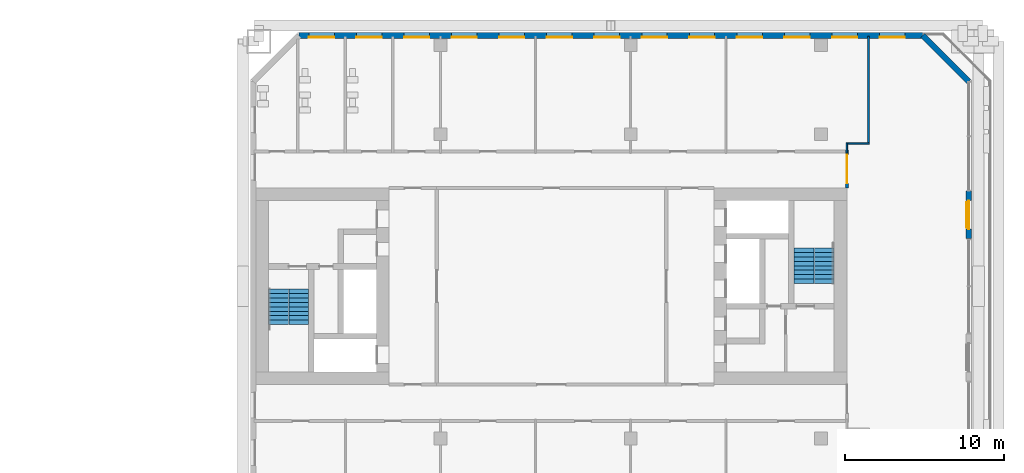
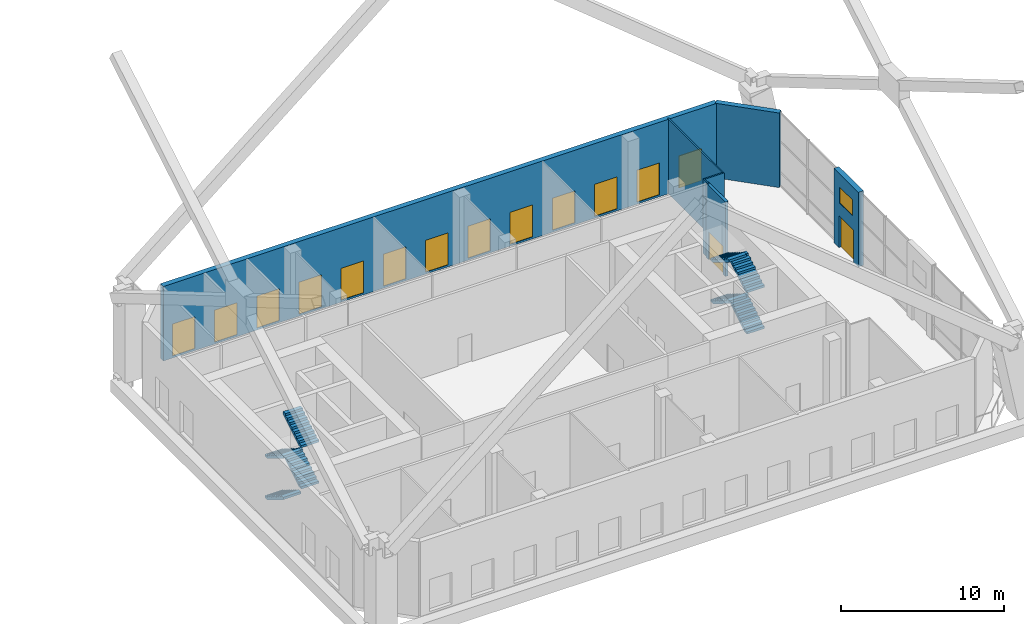
# One storey, part 16 of 20: 14 windows, 8 stair flights, 7 walls, 2 doors, 16 openings, 2 elements without a shape of their own.
"""IFC4 building model written with IfcOpenShell, lengths in metres."""

from ifc_helpers import new_model, si_unit, direction, frame, frame_2d, origin, place, context, subcontext, project, spatial, polyline, rectangle, outline, extrude, material, layer, layer_set, type_object, element, fill, aggregate, save


model = new_model("IFC4")

# Units and contexts
model_context = context("Model", 3, precision=1e-05, world=origin(), true_north=direction((0.0, 1.0)))
body_context = subcontext(model_context, "Body", "Model", "MODEL_VIEW")
ifc_project = project(units=[si_unit("LENGTHUNIT", "METRE"), si_unit("AREAUNIT", "SQUARE_METRE"), si_unit("VOLUMEUNIT", "CUBIC_METRE"), si_unit("PLANEANGLEUNIT", "RADIAN"), si_unit("MASSUNIT", "GRAM", prefix="KILO")], contexts=[model_context])

# Site, building, storey
site_placement = place(None, origin())
site = spatial("IfcSite", under=ifc_project, at=site_placement, CompositionType="ELEMENT")
building_placement = place(site_placement, origin())
building = spatial("IfcBuilding", under=site, at=building_placement, Name="Tuart Gate Housing", CompositionType="ELEMENT")
storey_placement = place(building_placement, frame((0.0, 0.0, 38.10009765625)))
storey = spatial("IfcBuildingStorey", under=building, at=storey_placement, Name="L10", CompositionType="ELEMENT", Elevation=38.10009765625)

# Wall, openings, door, window
ifc_material_1 = material(Name="Brick", Category="masonry")
ifc_layer_1 = layer(ifc_material_1, 0.360107421875)
ifc_layer_set_1 = layer_set([ifc_layer_1], Name="Brick pier and spandrel wall 360")
wall_type_1 = type_object("IfcWallType", Name="Brick pier and spandrel wall 360", PredefinedType="STANDARD", material=ifc_layer_set_1)
wall_1_placement = place(storey_placement, frame((176.320068359375, 73.0, 0.0), z_axis=(0.0, 0.0, 1.0), x_axis=(0.0, 1.0, 0.0)))
wall_1 = element("IfcWall", 1, at=wall_1_placement, inside=storey, type_object=wall_type_1, Name="External wall B-E L10", PredefinedType="STANDARD", context=body_context, shape_type="SweptSolid", body=[
    extrude(rectangle(XDim=3.0, YDim=0.360107421875, at=frame_2d((1.5, 0.0))), origin(), (0.0, 0.0, 1.0), 5.599853515625),
])
opening_1_placement = place(wall_1_placement, frame((0.699951171875, 0.0, 3.39990234375)))
opening_1 = element("IfcOpeningElement", 2, at=opening_1_placement, cuts=wall_1, Name="Opening W3", PredefinedType="OPENING", context=body_context, shape_type="SweptSolid", body=[
    extrude(rectangle(XDim=1.60009765625, YDim=1.199951171875, at=frame_2d((0.800048828125, 0.60009765625))), frame((0.0, 0.18994140625, 0.0), z_axis=(0.0, -1.0, 0.0), x_axis=(1.0, 0.0, 0.0)), (0.0, 0.0, 1.0), 0.380126953125),
])
opening_2_placement = place(wall_1_placement, frame((0.60009765625, 0.0, 0.0)))
opening_2 = element("IfcOpeningElement", 3, at=opening_2_placement, cuts=wall_1, Name="Opening D2831", PredefinedType="OPENING", context=body_context, shape_type="SweptSolid", body=[
    extrude(rectangle(XDim=1.800048828125, YDim=2.39990234375, at=frame_2d((0.89990234375, 1.199951171875))), frame((0.0, 0.18994140625, 0.0), z_axis=(0.0, -1.0, 0.0), x_axis=(1.0, 0.0, 0.0)), (0.0, 0.0, 1.0), 0.380126953125),
])
ifc_material_2 = material(Name="Aluminium framed glazed door", Category="aluminium")
door_type_1 = type_object("IfcDoorType", Name="Entrance door 1800 x 2400", OperationType="DOUBLE_DOOR_SINGLE_SWING", PredefinedType="DOOR", material=ifc_material_2)
door_1_placement = place(opening_2_placement, frame((1.800048828125, 0.0, 0.0), z_axis=(0.0, 0.0, 1.0), x_axis=(-1.0, 0.0, 0.0)))
door_1 = element("IfcDoor", 4, at=door_1_placement, inside=storey, type_object=door_type_1, Name="Leg B terrace door L10 2", OperationType="DOUBLE_DOOR_SINGLE_SWING", OverallHeight=2.39990234375, OverallWidth=1.800048828125, PredefinedType="DOOR", context=body_context, shape_type="SweptSolid", body=[
    extrude(rectangle(XDim=1.800048828125, YDim=2.39990234375, at=frame_2d((0.900146484375, 1.199951171875))), frame((0.0, 0.025146484375, 0.0), z_axis=(0.0, -1.0, 0.0), x_axis=(1.0, 0.0, 0.0)), (0.0, 0.0, 1.0), 0.050048828125),
])
fill(opening_2, door_1)
ifc_material_3 = material(Name="Aluminium louvre blades", Category="aluminium")
window_type_1 = type_object("IfcWindowType", Name="Louvre window 1600 x 1200", PartitioningType="DOUBLE_PANEL_HORIZONTAL", PredefinedType="WINDOW", material=ifc_material_3)
window_1_placement = place(opening_1_placement, origin())
window_1 = element("IfcWindow", 5, at=window_1_placement, inside=storey, type_object=window_type_1, Name="Louvre W3", OverallHeight=1.199951171875, OverallWidth=1.60009765625, PartitioningType="DOUBLE_PANEL_HORIZONTAL", PredefinedType="WINDOW", context=body_context, shape_type="SweptSolid", body=[
    extrude(rectangle(XDim=1.60009765625, YDim=1.199951171875, at=frame_2d((0.800048828125, 0.60009765625))), frame((0.0, 0.150146484375, 0.0), z_axis=(0.0, -1.0, 0.0), x_axis=(1.0, 0.0, 0.0)), (0.0, 0.0, 1.0), 0.06005859375),
])
fill(opening_1, window_1)

# Wall
wall_2_placement = place(storey_placement, frame((176.320068359375, 82.92529296875, 0.0), z_axis=(0.0, 0.0, 1.0), x_axis=(-0.707106781187, 0.707106781187, 0.0)))
element("IfcWall", 6, at=wall_2_placement, inside=storey, type_object=wall_type_1, Name="External wall B-NE L10", PredefinedType="STANDARD", context=body_context, shape_type="SweptSolid", body=[
    extrude(rectangle(XDim=4.09375, YDim=0.360107421875, at=frame_2d((2.046875, 0.0))), origin(), (0.0, 0.0, 1.0), 5.599853515625),
])

# Wall, openings, windows
wall_3_placement = place(storey_placement, frame((173.42529296875, 85.820068359375, 0.0), z_axis=(0.0, 0.0, 1.0), x_axis=(-1.0, 0.0, 0.0)))
wall_3 = element("IfcWall", 7, at=wall_3_placement, inside=storey, type_object=wall_type_1, Name="External wall B-N L10", PredefinedType="STANDARD", context=body_context, shape_type="SweptSolid", body=[
    extrude(rectangle(XDim=39.350830078125, YDim=0.360107421875, at=frame_2d((19.67529296875, 0.0))), origin(), (0.0, 0.0, 1.0), 5.599853515625),
])
opening_3_placement = place(wall_3_placement, frame((1.12548828125, 0.0, 0.14990234375)))
opening_3 = element("IfcOpeningElement", 8, at=opening_3_placement, cuts=wall_3, Name="Opening W2", PredefinedType="OPENING", context=body_context, shape_type="SweptSolid", body=[
    extrude(rectangle(XDim=1.60009765625, YDim=2.39990234375, at=frame_2d((0.800048828125, 1.199951171875))), frame((0.0, 0.18994140625, 0.0), z_axis=(0.0, -1.0, 0.0), x_axis=(1.0, 0.0, 0.0)), (0.0, 0.0, 1.0), 0.380126953125),
])
opening_4_placement = place(wall_3_placement, frame((4.12548828125, 0.0, 0.14990234375)))
opening_4 = element("IfcOpeningElement", 9, at=opening_4_placement, cuts=wall_3, Name="Opening W2", PredefinedType="OPENING", context=body_context, shape_type="SweptSolid", body=[
    extrude(rectangle(XDim=1.60009765625, YDim=2.39990234375, at=frame_2d((0.800048828125, 1.199951171875))), frame((0.0, 0.18994140625, 0.0), z_axis=(0.0, -1.0, 0.0), x_axis=(1.0, 0.0, 0.0)), (0.0, 0.0, 1.0), 0.380126953125),
])
opening_5_placement = place(wall_3_placement, frame((7.12548828125, 0.0, 0.14990234375)))
opening_5 = element("IfcOpeningElement", 10, at=opening_5_placement, cuts=wall_3, Name="Opening W2", PredefinedType="OPENING", context=body_context, shape_type="SweptSolid", body=[
    extrude(rectangle(XDim=1.60009765625, YDim=2.39990234375, at=frame_2d((0.800048828125, 1.199951171875))), frame((0.0, 0.18994140625, 0.0), z_axis=(0.0, -1.0, 0.0), x_axis=(1.0, 0.0, 0.0)), (0.0, 0.0, 1.0), 0.380126953125),
])
opening_6_placement = place(wall_3_placement, frame((10.12548828125, 0.0, 0.14990234375)))
opening_6 = element("IfcOpeningElement", 11, at=opening_6_placement, cuts=wall_3, Name="Opening W2", PredefinedType="OPENING", context=body_context, shape_type="SweptSolid", body=[
    extrude(rectangle(XDim=1.60009765625, YDim=2.39990234375, at=frame_2d((0.800048828125, 1.199951171875))), frame((0.0, 0.18994140625, 0.0), z_axis=(0.0, -1.0, 0.0), x_axis=(1.0, 0.0, 0.0)), (0.0, 0.0, 1.0), 0.380126953125),
])
opening_7_placement = place(wall_3_placement, frame((13.12548828125, 0.0, 0.14990234375)))
opening_7 = element("IfcOpeningElement", 12, at=opening_7_placement, cuts=wall_3, Name="Opening W2", PredefinedType="OPENING", context=body_context, shape_type="SweptSolid", body=[
    extrude(rectangle(XDim=1.60009765625, YDim=2.39990234375, at=frame_2d((0.800048828125, 1.199951171875))), frame((0.0, 0.18994140625, 0.0), z_axis=(0.0, -1.0, 0.0), x_axis=(1.0, 0.0, 0.0)), (0.0, 0.0, 1.0), 0.380126953125),
])
opening_8_placement = place(wall_3_placement, frame((16.12548828125, 0.0, 0.14990234375)))
opening_8 = element("IfcOpeningElement", 13, at=opening_8_placement, cuts=wall_3, Name="Opening W2", PredefinedType="OPENING", context=body_context, shape_type="SweptSolid", body=[
    extrude(rectangle(XDim=1.60009765625, YDim=2.39990234375, at=frame_2d((0.800048828125, 1.199951171875))), frame((0.0, 0.18994140625, 0.0), z_axis=(0.0, -1.0, 0.0), x_axis=(1.0, 0.0, 0.0)), (0.0, 0.0, 1.0), 0.380126953125),
])
opening_9_placement = place(wall_3_placement, frame((19.12548828125, 0.0, 0.14990234375)))
opening_9 = element("IfcOpeningElement", 14, at=opening_9_placement, cuts=wall_3, Name="Opening W2", PredefinedType="OPENING", context=body_context, shape_type="SweptSolid", body=[
    extrude(rectangle(XDim=1.60009765625, YDim=2.39990234375, at=frame_2d((0.800048828125, 1.199951171875))), frame((0.0, 0.18994140625, 0.0), z_axis=(0.0, -1.0, 0.0), x_axis=(1.0, 0.0, 0.0)), (0.0, 0.0, 1.0), 0.380126953125),
])
opening_10_placement = place(wall_3_placement, frame((22.12548828125, 0.0, 0.14990234375)))
opening_10 = element("IfcOpeningElement", 15, at=opening_10_placement, cuts=wall_3, Name="Opening W2", PredefinedType="OPENING", context=body_context, shape_type="SweptSolid", body=[
    extrude(rectangle(XDim=1.60009765625, YDim=2.39990234375, at=frame_2d((0.800048828125, 1.199951171875))), frame((0.0, 0.18994140625, 0.0), z_axis=(0.0, -1.0, 0.0), x_axis=(1.0, 0.0, 0.0)), (0.0, 0.0, 1.0), 0.380126953125),
])
opening_11_placement = place(wall_3_placement, frame((25.12548828125, 0.0, 0.14990234375)))
opening_11 = element("IfcOpeningElement", 16, at=opening_11_placement, cuts=wall_3, Name="Opening W2", PredefinedType="OPENING", context=body_context, shape_type="SweptSolid", body=[
    extrude(rectangle(XDim=1.60009765625, YDim=2.39990234375, at=frame_2d((0.800048828125, 1.199951171875))), frame((0.0, 0.18994140625, 0.0), z_axis=(0.0, -1.0, 0.0), x_axis=(1.0, 0.0, 0.0)), (0.0, 0.0, 1.0), 0.380126953125),
])
opening_12_placement = place(wall_3_placement, frame((28.12548828125, 0.0, 0.14990234375)))
opening_12 = element("IfcOpeningElement", 17, at=opening_12_placement, cuts=wall_3, Name="Opening W2", PredefinedType="OPENING", context=body_context, shape_type="SweptSolid", body=[
    extrude(rectangle(XDim=1.60009765625, YDim=2.39990234375, at=frame_2d((0.800048828125, 1.199951171875))), frame((0.0, 0.18994140625, 0.0), z_axis=(0.0, -1.0, 0.0), x_axis=(1.0, 0.0, 0.0)), (0.0, 0.0, 1.0), 0.380126953125),
])
opening_13_placement = place(wall_3_placement, frame((31.12548828125, 0.0, 0.14990234375)))
opening_13 = element("IfcOpeningElement", 18, at=opening_13_placement, cuts=wall_3, Name="Opening W2", PredefinedType="OPENING", context=body_context, shape_type="SweptSolid", body=[
    extrude(rectangle(XDim=1.60009765625, YDim=2.39990234375, at=frame_2d((0.800048828125, 1.199951171875))), frame((0.0, 0.18994140625, 0.0), z_axis=(0.0, -1.0, 0.0), x_axis=(1.0, 0.0, 0.0)), (0.0, 0.0, 1.0), 0.380126953125),
])
opening_14_placement = place(wall_3_placement, frame((34.12548828125, 0.0, 0.14990234375)))
opening_14 = element("IfcOpeningElement", 19, at=opening_14_placement, cuts=wall_3, Name="Opening W2", PredefinedType="OPENING", context=body_context, shape_type="SweptSolid", body=[
    extrude(rectangle(XDim=1.60009765625, YDim=2.39990234375, at=frame_2d((0.800048828125, 1.199951171875))), frame((0.0, 0.18994140625, 0.0), z_axis=(0.0, -1.0, 0.0), x_axis=(1.0, 0.0, 0.0)), (0.0, 0.0, 1.0), 0.380126953125),
])
opening_15_placement = place(wall_3_placement, frame((37.12548828125, 0.0, 0.14990234375)))
opening_15 = element("IfcOpeningElement", 20, at=opening_15_placement, cuts=wall_3, Name="Opening W2", PredefinedType="OPENING", context=body_context, shape_type="SweptSolid", body=[
    extrude(rectangle(XDim=1.60009765625, YDim=2.39990234375, at=frame_2d((0.800048828125, 1.199951171875))), frame((0.0, 0.18994140625, 0.0), z_axis=(0.0, -1.0, 0.0), x_axis=(1.0, 0.0, 0.0)), (0.0, 0.0, 1.0), 0.380126953125),
])
ifc_material_4 = material(Name="Aluminium frame with clear glass", Category="aluminium")
window_type_2 = type_object("IfcWindowType", Name="Garden lounge window 1600 x 2400", PartitioningType="SINGLE_PANEL", PredefinedType="WINDOW", material=ifc_material_4)
window_2_placement = place(opening_3_placement, origin())
window_2 = element("IfcWindow", 21, at=window_2_placement, inside=storey, type_object=window_type_2, Name="Window W2", OverallHeight=2.39990234375, OverallWidth=1.60009765625, PartitioningType="SINGLE_PANEL", PredefinedType="WINDOW", context=body_context, shape_type="SweptSolid", body=[
    extrude(rectangle(XDim=1.60009765625, YDim=2.39990234375, at=frame_2d((0.800048828125, 1.199951171875))), frame((0.0, 0.150146484375, 0.0), z_axis=(0.0, -1.0, 0.0), x_axis=(1.0, 0.0, 0.0)), (0.0, 0.0, 1.0), 0.06005859375),
])
fill(opening_3, window_2)
window_3_placement = place(opening_4_placement, origin())
window_3 = element("IfcWindow", 22, at=window_3_placement, inside=storey, type_object=window_type_2, Name="Window W2", OverallHeight=2.39990234375, OverallWidth=1.60009765625, PartitioningType="SINGLE_PANEL", PredefinedType="WINDOW", context=body_context, shape_type="SweptSolid", body=[
    extrude(rectangle(XDim=1.60009765625, YDim=2.39990234375, at=frame_2d((0.800048828125, 1.199951171875))), frame((0.0, 0.150146484375, 0.0), z_axis=(0.0, -1.0, 0.0), x_axis=(1.0, 0.0, 0.0)), (0.0, 0.0, 1.0), 0.06005859375),
])
fill(opening_4, window_3)
window_4_placement = place(opening_5_placement, origin())
window_4 = element("IfcWindow", 23, at=window_4_placement, inside=storey, type_object=window_type_2, Name="Window W2", OverallHeight=2.39990234375, OverallWidth=1.60009765625, PartitioningType="SINGLE_PANEL", PredefinedType="WINDOW", context=body_context, shape_type="SweptSolid", body=[
    extrude(rectangle(XDim=1.60009765625, YDim=2.39990234375, at=frame_2d((0.800048828125, 1.199951171875))), frame((0.0, 0.150146484375, 0.0), z_axis=(0.0, -1.0, 0.0), x_axis=(1.0, 0.0, 0.0)), (0.0, 0.0, 1.0), 0.06005859375),
])
fill(opening_5, window_4)
window_5_placement = place(opening_6_placement, origin())
window_5 = element("IfcWindow", 24, at=window_5_placement, inside=storey, type_object=window_type_2, Name="Window W2", OverallHeight=2.39990234375, OverallWidth=1.60009765625, PartitioningType="SINGLE_PANEL", PredefinedType="WINDOW", context=body_context, shape_type="SweptSolid", body=[
    extrude(rectangle(XDim=1.60009765625, YDim=2.39990234375, at=frame_2d((0.800048828125, 1.199951171875))), frame((0.0, 0.150146484375, 0.0), z_axis=(0.0, -1.0, 0.0), x_axis=(1.0, 0.0, 0.0)), (0.0, 0.0, 1.0), 0.06005859375),
])
fill(opening_6, window_5)
window_6_placement = place(opening_7_placement, origin())
window_6 = element("IfcWindow", 25, at=window_6_placement, inside=storey, type_object=window_type_2, Name="Window W2", OverallHeight=2.39990234375, OverallWidth=1.60009765625, PartitioningType="SINGLE_PANEL", PredefinedType="WINDOW", context=body_context, shape_type="SweptSolid", body=[
    extrude(rectangle(XDim=1.60009765625, YDim=2.39990234375, at=frame_2d((0.800048828125, 1.199951171875))), frame((0.0, 0.150146484375, 0.0), z_axis=(0.0, -1.0, 0.0), x_axis=(1.0, 0.0, 0.0)), (0.0, 0.0, 1.0), 0.06005859375),
])
fill(opening_7, window_6)
window_7_placement = place(opening_8_placement, origin())
window_7 = element("IfcWindow", 26, at=window_7_placement, inside=storey, type_object=window_type_2, Name="Window W2", OverallHeight=2.39990234375, OverallWidth=1.60009765625, PartitioningType="SINGLE_PANEL", PredefinedType="WINDOW", context=body_context, shape_type="SweptSolid", body=[
    extrude(rectangle(XDim=1.60009765625, YDim=2.39990234375, at=frame_2d((0.800048828125, 1.199951171875))), frame((0.0, 0.150146484375, 0.0), z_axis=(0.0, -1.0, 0.0), x_axis=(1.0, 0.0, 0.0)), (0.0, 0.0, 1.0), 0.06005859375),
])
fill(opening_8, window_7)
window_8_placement = place(opening_9_placement, origin())
window_8 = element("IfcWindow", 27, at=window_8_placement, inside=storey, type_object=window_type_2, Name="Window W2", OverallHeight=2.39990234375, OverallWidth=1.60009765625, PartitioningType="SINGLE_PANEL", PredefinedType="WINDOW", context=body_context, shape_type="SweptSolid", body=[
    extrude(rectangle(XDim=1.60009765625, YDim=2.39990234375, at=frame_2d((0.800048828125, 1.199951171875))), frame((0.0, 0.150146484375, 0.0), z_axis=(0.0, -1.0, 0.0), x_axis=(1.0, 0.0, 0.0)), (0.0, 0.0, 1.0), 0.06005859375),
])
fill(opening_9, window_8)
window_9_placement = place(opening_10_placement, origin())
window_9 = element("IfcWindow", 28, at=window_9_placement, inside=storey, type_object=window_type_2, Name="Window W2", OverallHeight=2.39990234375, OverallWidth=1.60009765625, PartitioningType="SINGLE_PANEL", PredefinedType="WINDOW", context=body_context, shape_type="SweptSolid", body=[
    extrude(rectangle(XDim=1.60009765625, YDim=2.39990234375, at=frame_2d((0.800048828125, 1.199951171875))), frame((0.0, 0.150146484375, 0.0), z_axis=(0.0, -1.0, 0.0), x_axis=(1.0, 0.0, 0.0)), (0.0, 0.0, 1.0), 0.06005859375),
])
fill(opening_10, window_9)
window_10_placement = place(opening_11_placement, origin())
window_10 = element("IfcWindow", 29, at=window_10_placement, inside=storey, type_object=window_type_2, Name="Window W2", OverallHeight=2.39990234375, OverallWidth=1.60009765625, PartitioningType="SINGLE_PANEL", PredefinedType="WINDOW", context=body_context, shape_type="SweptSolid", body=[
    extrude(rectangle(XDim=1.60009765625, YDim=2.39990234375, at=frame_2d((0.800048828125, 1.199951171875))), frame((0.0, 0.150146484375, 0.0), z_axis=(0.0, -1.0, 0.0), x_axis=(1.0, 0.0, 0.0)), (0.0, 0.0, 1.0), 0.06005859375),
])
fill(opening_11, window_10)
window_11_placement = place(opening_12_placement, origin())
window_11 = element("IfcWindow", 30, at=window_11_placement, inside=storey, type_object=window_type_2, Name="Window W2", OverallHeight=2.39990234375, OverallWidth=1.60009765625, PartitioningType="SINGLE_PANEL", PredefinedType="WINDOW", context=body_context, shape_type="SweptSolid", body=[
    extrude(rectangle(XDim=1.60009765625, YDim=2.39990234375, at=frame_2d((0.800048828125, 1.199951171875))), frame((0.0, 0.150146484375, 0.0), z_axis=(0.0, -1.0, 0.0), x_axis=(1.0, 0.0, 0.0)), (0.0, 0.0, 1.0), 0.06005859375),
])
fill(opening_12, window_11)
window_12_placement = place(opening_13_placement, origin())
window_12 = element("IfcWindow", 31, at=window_12_placement, inside=storey, type_object=window_type_2, Name="Window W2", OverallHeight=2.39990234375, OverallWidth=1.60009765625, PartitioningType="SINGLE_PANEL", PredefinedType="WINDOW", context=body_context, shape_type="SweptSolid", body=[
    extrude(rectangle(XDim=1.60009765625, YDim=2.39990234375, at=frame_2d((0.800048828125, 1.199951171875))), frame((0.0, 0.150146484375, 0.0), z_axis=(0.0, -1.0, 0.0), x_axis=(1.0, 0.0, 0.0)), (0.0, 0.0, 1.0), 0.06005859375),
])
fill(opening_13, window_12)
window_13_placement = place(opening_14_placement, origin())
window_13 = element("IfcWindow", 32, at=window_13_placement, inside=storey, type_object=window_type_2, Name="Window W2", OverallHeight=2.39990234375, OverallWidth=1.60009765625, PartitioningType="SINGLE_PANEL", PredefinedType="WINDOW", context=body_context, shape_type="SweptSolid", body=[
    extrude(rectangle(XDim=1.60009765625, YDim=2.39990234375, at=frame_2d((0.800048828125, 1.199951171875))), frame((0.0, 0.150146484375, 0.0), z_axis=(0.0, -1.0, 0.0), x_axis=(1.0, 0.0, 0.0)), (0.0, 0.0, 1.0), 0.06005859375),
])
fill(opening_14, window_13)
window_14_placement = place(opening_15_placement, origin())
window_14 = element("IfcWindow", 33, at=window_14_placement, inside=storey, type_object=window_type_2, Name="Window W2", OverallHeight=2.39990234375, OverallWidth=1.60009765625, PartitioningType="SINGLE_PANEL", PredefinedType="WINDOW", context=body_context, shape_type="SweptSolid", body=[
    extrude(rectangle(XDim=1.60009765625, YDim=2.39990234375, at=frame_2d((0.800048828125, 1.199951171875))), frame((0.0, 0.150146484375, 0.0), z_axis=(0.0, -1.0, 0.0), x_axis=(1.0, 0.0, 0.0)), (0.0, 0.0, 1.0), 0.06005859375),
])
fill(opening_15, window_14)

# Wall, opening, door
ifc_material_5 = material(Name="Concrete masonry 15 MPa", Category="masonry")
ifc_layer_2 = layer(ifc_material_5, 0.199951171875)
ifc_layer_set_2 = layer_set([ifc_layer_2], Name="Corridor wall masonry 200")
wall_type_2 = type_object("IfcWallType", Name="Corridor wall masonry 200", PredefinedType="PARTITIONING", material=ifc_layer_set_2)
wall_4_placement = place(storey_placement, frame((168.639892578125, 76.199951171875, 0.0), z_axis=(0.0, 0.0, 1.0), x_axis=(0.0, 1.0, 0.0)))
wall_4 = element("IfcWall", 34, at=wall_4_placement, inside=storey, type_object=wall_type_2, Name="Corridor wall masonry 200", PredefinedType="PARTITIONING", context=body_context, shape_type="SweptSolid", body=[
    extrude(rectangle(XDim=2.402099609375, YDim=0.199951171875, at=frame_2d((1.201171875, 0.0))), origin(), (0.0, 0.0, 1.0), 5.599853515625),
])
opening_16_placement = place(wall_4_placement, frame((0.301025390625, 0.0, 0.0)))
opening_16 = element("IfcOpeningElement", 35, at=opening_16_placement, cuts=wall_4, Name="Opening D2827", PredefinedType="OPENING", context=body_context, shape_type="SweptSolid", body=[
    extrude(rectangle(XDim=1.800048828125, YDim=2.10009765625, at=frame_2d((0.89990234375, 1.050048828125))), frame((0.0, 0.10986328125, 0.0), z_axis=(0.0, -1.0, 0.0), x_axis=(1.0, 0.0, 0.0)), (0.0, 0.0, 1.0), 0.219970703125),
])
ifc_material_6 = material(Name="Timber door leaf in steel frame", Category="steel")
door_type_2 = type_object("IfcDoorType", Name="Double door 1800", OperationType="DOUBLE_DOOR_SINGLE_SWING", PredefinedType="DOOR", material=ifc_material_6)
door_2_placement = place(opening_16_placement, origin())
door_2 = element("IfcDoor", 36, at=door_2_placement, inside=storey, type_object=door_type_2, Name="Double door 1800", OperationType="DOUBLE_DOOR_SINGLE_SWING", OverallHeight=2.10009765625, OverallWidth=1.800048828125, PredefinedType="DOOR", context=body_context, shape_type="SweptSolid", body=[
    extrude(rectangle(XDim=1.800048828125, YDim=2.10009765625, at=frame_2d((0.89990234375, 1.050048828125))), frame((0.0, 0.02490234375, 0.0), z_axis=(0.0, -1.0, 0.0), x_axis=(1.0, 0.0, 0.0)), (0.0, 0.0, 1.0), 0.050048828125),
])
fill(opening_16, door_2)

# Walls
ifc_material_7 = material(Name="Gypsum board on steel studs", Category="steel")
ifc_layer_3 = layer(ifc_material_7, 0.10009765625)
ifc_layer_set_3 = layer_set([ifc_layer_3], Name="Partition 100")
wall_type_3 = type_object("IfcWallType", Name="Partition 100", PredefinedType="PARTITIONING", material=ifc_layer_set_3)
wall_5_placement = place(storey_placement, frame((168.590087890625, 79.0, 0.0), z_axis=(0.0, 0.0, 1.0), x_axis=(1.0, 0.0, 0.0)))
element("IfcWall", 37, at=wall_5_placement, inside=storey, type_object=wall_type_3, Name="Partition 100", PredefinedType="PARTITIONING", context=body_context, shape_type="SweptSolid", body=[
    extrude(rectangle(XDim=1.4599609375, YDim=0.10009765625, at=frame_2d((0.72998046875, 0.0))), origin(), (0.0, 0.0, 1.0), 5.599853515625),
])
wall_6_placement = place(storey_placement, frame((168.639892578125, 78.39990234375, 0.0), z_axis=(0.0, 0.0, 1.0), x_axis=(0.0, 1.0, 0.0)))
element("IfcWall", 38, at=wall_6_placement, inside=storey, type_object=wall_type_3, Name="Partition 100", PredefinedType="PARTITIONING", context=body_context, shape_type="SweptSolid", body=[
    extrude(rectangle(XDim=0.650146484375, YDim=0.10009765625, at=frame_2d((0.3251953125, 0.0))), origin(), (0.0, 0.0, 1.0), 5.599853515625),
])
wall_7_placement = place(storey_placement, frame((170.0, 78.949951171875, 0.0), z_axis=(0.0, 0.0, 1.0), x_axis=(0.0, 1.0, 0.0)))
element("IfcWall", 39, at=wall_7_placement, inside=storey, type_object=wall_type_3, Name="Partition 100", PredefinedType="PARTITIONING", context=body_context, shape_type="SweptSolid", body=[
    extrude(rectangle(XDim=6.81005859375, YDim=0.10009765625, at=frame_2d((3.405029296875, 0.0))), origin(), (0.0, 0.0, 1.0), 5.599853515625),
])

# Stair, stair flights
ifc_material_8 = material(Name="Concrete C40", Category="concrete")
stair_type = type_object("IfcStairType", Name="Core stair 1250", PredefinedType="HALF_TURN_STAIR", material=ifc_material_8)
stair_1_placement = place(storey_placement, origin())
stair_1 = element("IfcStair", 40, at=stair_1_placement, inside=storey, type_object=stair_type, Name="Stair SB1", PredefinedType="HALF_TURN_STAIR")
ifc_material_9 = material(Name="Concrete C40", Category="concrete")
stair_flight_type = type_object("IfcStairFlightType", Name="Stair flight 1250, 9 risers 172 x 280", PredefinedType="STRAIGHT", material=ifc_material_9)
stair_flight_1_placement = place(storey_placement, frame((132.784912109375, 69.824951171875, 0.0), z_axis=(0.0, 0.0, 1.0), x_axis=(0.0, -1.0, 0.0)))
stair_flight_1 = element("IfcStairFlight", 41, at=stair_flight_1_placement, type_object=stair_flight_type, Name="SB1 flight 1", NumberOfRisers=9, NumberOfTreads=8, PredefinedType="STRAIGHT", RiserHeight=0.172222222, TreadLength=0.28, context=body_context, shape_type="SweptSolid", body=[
    extrude(outline(polyline([(0.0, 0.0), (0.0, 0.172119140625), (0.280029296875, 0.172119140625), (0.280029296875, 0.344482421875), (0.56005859375, 0.344482421875), (0.56005859375, 0.5166015625), (0.840087890625, 0.5166015625), (0.840087890625, 0.68896484375), (1.1201171875, 0.68896484375), (1.1201171875, 0.861083984375), (1.39990234375, 0.861083984375), (1.39990234375, 1.033447265625), (1.679931640625, 1.033447265625), (1.679931640625, 1.20556640625), (1.9599609375, 1.20556640625), (1.9599609375, 1.377685546875), (2.239990234375, 1.377685546875), (2.239990234375, 1.550048828125), (2.239990234375, 1.201904296875), (0.2861328125, 0.0), (0.0, 0.0)])), frame((0.0, 0.625, 0.0), z_axis=(0.0, -1.0, 0.0), x_axis=(1.0, 0.0, 0.0)), (0.0, 0.0, 1.0), 1.25),
])
stair_flight_2_placement = place(storey_placement, frame((134.06005859375, 67.5849609375, 1.5498046875), z_axis=(0.0, 0.0, 1.0), x_axis=(0.0, 1.0, 0.0)))
stair_flight_2 = element("IfcStairFlight", 42, at=stair_flight_2_placement, type_object=stair_flight_type, Name="SB1 flight 2", NumberOfRisers=9, NumberOfTreads=8, PredefinedType="STRAIGHT", RiserHeight=0.172222222, TreadLength=0.28, context=body_context, shape_type="SweptSolid", body=[
    extrude(outline(polyline([(0.0, 0.0), (0.0, 0.172119140625), (0.280029296875, 0.172119140625), (0.280029296875, 0.344482421875), (0.56005859375, 0.344482421875), (0.56005859375, 0.5166015625), (0.840087890625, 0.5166015625), (0.840087890625, 0.68896484375), (1.1201171875, 0.68896484375), (1.1201171875, 0.861083984375), (1.39990234375, 0.861083984375), (1.39990234375, 1.033447265625), (1.679931640625, 1.033447265625), (1.679931640625, 1.20556640625), (1.9599609375, 1.20556640625), (1.9599609375, 1.377685546875), (2.239990234375, 1.377685546875), (2.239990234375, 1.550048828125), (2.239990234375, 1.201904296875), (0.2861328125, 0.0), (0.0, 0.0)])), frame((0.0, 0.625, 0.0), z_axis=(0.0, -1.0, 0.0), x_axis=(1.0, 0.0, 0.0)), (0.0, 0.0, 1.0), 1.25),
])
stair_flight_3_placement = place(storey_placement, frame((132.784912109375, 69.824951171875, 3.099853515625), z_axis=(0.0, 0.0, 1.0), x_axis=(0.0, -1.0, 0.0)))
stair_flight_3 = element("IfcStairFlight", 43, at=stair_flight_3_placement, type_object=stair_flight_type, Name="SB1 flight 3", NumberOfRisers=9, NumberOfTreads=8, PredefinedType="STRAIGHT", RiserHeight=0.172222222, TreadLength=0.28, context=body_context, shape_type="SweptSolid", body=[
    extrude(outline(polyline([(0.0, 0.0), (0.0, 0.172119140625), (0.280029296875, 0.172119140625), (0.280029296875, 0.344482421875), (0.56005859375, 0.344482421875), (0.56005859375, 0.5166015625), (0.840087890625, 0.5166015625), (0.840087890625, 0.68896484375), (1.1201171875, 0.68896484375), (1.1201171875, 0.861083984375), (1.39990234375, 0.861083984375), (1.39990234375, 1.033447265625), (1.679931640625, 1.033447265625), (1.679931640625, 1.20556640625), (1.9599609375, 1.20556640625), (1.9599609375, 1.377685546875), (2.239990234375, 1.377685546875), (2.239990234375, 1.550048828125), (2.239990234375, 1.201904296875), (0.2861328125, 0.0), (0.0, 0.0)])), frame((0.0, 0.625, 0.0), z_axis=(0.0, -1.0, 0.0), x_axis=(1.0, 0.0, 0.0)), (0.0, 0.0, 1.0), 1.25),
])
stair_flight_4_placement = place(storey_placement, frame((134.06005859375, 67.5849609375, 4.64990234375), z_axis=(0.0, 0.0, 1.0), x_axis=(0.0, 1.0, 0.0)))
stair_flight_4 = element("IfcStairFlight", 44, at=stair_flight_4_placement, type_object=stair_flight_type, Name="SB1 flight 4", NumberOfRisers=9, NumberOfTreads=8, PredefinedType="STRAIGHT", RiserHeight=0.172222222, TreadLength=0.28, context=body_context, shape_type="SweptSolid", body=[
    extrude(outline(polyline([(0.0, 0.0), (0.0, 0.172119140625), (0.280029296875, 0.172119140625), (0.280029296875, 0.344482421875), (0.56005859375, 0.344482421875), (0.56005859375, 0.5166015625), (0.840087890625, 0.5166015625), (0.840087890625, 0.68896484375), (1.1201171875, 0.68896484375), (1.1201171875, 0.861083984375), (1.39990234375, 0.861083984375), (1.39990234375, 1.033447265625), (1.679931640625, 1.033447265625), (1.679931640625, 1.20556640625), (1.9599609375, 1.20556640625), (1.9599609375, 1.377685546875), (2.239990234375, 1.377685546875), (2.239990234375, 1.550048828125), (2.239990234375, 1.201904296875), (0.2861328125, 0.0), (0.0, 0.0)])), frame((0.0, 0.625, 0.0), z_axis=(0.0, -1.0, 0.0), x_axis=(1.0, 0.0, 0.0)), (0.0, 0.0, 1.0), 1.25),
])
aggregate(stair_1, [stair_flight_1, stair_flight_2, stair_flight_3, stair_flight_4])

stair_2_placement = place(storey_placement, origin())
stair_2 = element("IfcStair", 45, at=stair_2_placement, inside=storey, type_object=stair_type, Name="Stair SB2", PredefinedType="HALF_TURN_STAIR")
stair_flight_5_placement = place(storey_placement, frame((167.215087890625, 70.175048828125, 0.0), z_axis=(0.0, 0.0, 1.0), x_axis=(0.0, 1.0, 0.0)))
stair_flight_5 = element("IfcStairFlight", 46, at=stair_flight_5_placement, type_object=stair_flight_type, Name="SB2 flight 1", NumberOfRisers=9, NumberOfTreads=8, PredefinedType="STRAIGHT", RiserHeight=0.172222222, TreadLength=0.28, context=body_context, shape_type="SweptSolid", body=[
    extrude(outline(polyline([(0.0, 0.0), (0.0, 0.172119140625), (0.280029296875, 0.172119140625), (0.280029296875, 0.344482421875), (0.56005859375, 0.344482421875), (0.56005859375, 0.5166015625), (0.840087890625, 0.5166015625), (0.840087890625, 0.68896484375), (1.1201171875, 0.68896484375), (1.1201171875, 0.861083984375), (1.39990234375, 0.861083984375), (1.39990234375, 1.033447265625), (1.679931640625, 1.033447265625), (1.679931640625, 1.20556640625), (1.9599609375, 1.20556640625), (1.9599609375, 1.377685546875), (2.239990234375, 1.377685546875), (2.239990234375, 1.550048828125), (2.239990234375, 1.201904296875), (0.2861328125, 0.0), (0.0, 0.0)])), frame((0.0, 0.625, 0.0), z_axis=(0.0, -1.0, 0.0), x_axis=(1.0, 0.0, 0.0)), (0.0, 0.0, 1.0), 1.25),
])
stair_flight_6_placement = place(storey_placement, frame((165.93994140625, 72.4150390625, 1.5498046875), z_axis=(0.0, 0.0, 1.0), x_axis=(0.0, -1.0, 0.0)))
stair_flight_6 = element("IfcStairFlight", 47, at=stair_flight_6_placement, type_object=stair_flight_type, Name="SB2 flight 2", NumberOfRisers=9, NumberOfTreads=8, PredefinedType="STRAIGHT", RiserHeight=0.172222222, TreadLength=0.28, context=body_context, shape_type="SweptSolid", body=[
    extrude(outline(polyline([(0.0, 0.0), (0.0, 0.172119140625), (0.280029296875, 0.172119140625), (0.280029296875, 0.344482421875), (0.56005859375, 0.344482421875), (0.56005859375, 0.5166015625), (0.840087890625, 0.5166015625), (0.840087890625, 0.68896484375), (1.1201171875, 0.68896484375), (1.1201171875, 0.861083984375), (1.39990234375, 0.861083984375), (1.39990234375, 1.033447265625), (1.679931640625, 1.033447265625), (1.679931640625, 1.20556640625), (1.9599609375, 1.20556640625), (1.9599609375, 1.377685546875), (2.239990234375, 1.377685546875), (2.239990234375, 1.550048828125), (2.239990234375, 1.201904296875), (0.2861328125, 0.0), (0.0, 0.0)])), frame((0.0, 0.625, 0.0), z_axis=(0.0, -1.0, 0.0), x_axis=(1.0, 0.0, 0.0)), (0.0, 0.0, 1.0), 1.25),
])
stair_flight_7_placement = place(storey_placement, frame((167.215087890625, 70.175048828125, 3.099853515625), z_axis=(0.0, 0.0, 1.0), x_axis=(0.0, 1.0, 0.0)))
stair_flight_7 = element("IfcStairFlight", 48, at=stair_flight_7_placement, type_object=stair_flight_type, Name="SB2 flight 3", NumberOfRisers=9, NumberOfTreads=8, PredefinedType="STRAIGHT", RiserHeight=0.172222222, TreadLength=0.28, context=body_context, shape_type="SweptSolid", body=[
    extrude(outline(polyline([(0.0, 0.0), (0.0, 0.172119140625), (0.280029296875, 0.172119140625), (0.280029296875, 0.344482421875), (0.56005859375, 0.344482421875), (0.56005859375, 0.5166015625), (0.840087890625, 0.5166015625), (0.840087890625, 0.68896484375), (1.1201171875, 0.68896484375), (1.1201171875, 0.861083984375), (1.39990234375, 0.861083984375), (1.39990234375, 1.033447265625), (1.679931640625, 1.033447265625), (1.679931640625, 1.20556640625), (1.9599609375, 1.20556640625), (1.9599609375, 1.377685546875), (2.239990234375, 1.377685546875), (2.239990234375, 1.550048828125), (2.239990234375, 1.201904296875), (0.2861328125, 0.0), (0.0, 0.0)])), frame((0.0, 0.625, 0.0), z_axis=(0.0, -1.0, 0.0), x_axis=(1.0, 0.0, 0.0)), (0.0, 0.0, 1.0), 1.25),
])
stair_flight_8_placement = place(storey_placement, frame((165.93994140625, 72.4150390625, 4.64990234375), z_axis=(0.0, 0.0, 1.0), x_axis=(0.0, -1.0, 0.0)))
stair_flight_8 = element("IfcStairFlight", 49, at=stair_flight_8_placement, type_object=stair_flight_type, Name="SB2 flight 4", NumberOfRisers=9, NumberOfTreads=8, PredefinedType="STRAIGHT", RiserHeight=0.172222222, TreadLength=0.28, context=body_context, shape_type="SweptSolid", body=[
    extrude(outline(polyline([(0.0, 0.0), (0.0, 0.172119140625), (0.280029296875, 0.172119140625), (0.280029296875, 0.344482421875), (0.56005859375, 0.344482421875), (0.56005859375, 0.5166015625), (0.840087890625, 0.5166015625), (0.840087890625, 0.68896484375), (1.1201171875, 0.68896484375), (1.1201171875, 0.861083984375), (1.39990234375, 0.861083984375), (1.39990234375, 1.033447265625), (1.679931640625, 1.033447265625), (1.679931640625, 1.20556640625), (1.9599609375, 1.20556640625), (1.9599609375, 1.377685546875), (2.239990234375, 1.377685546875), (2.239990234375, 1.550048828125), (2.239990234375, 1.201904296875), (0.2861328125, 0.0), (0.0, 0.0)])), frame((0.0, 0.625, 0.0), z_axis=(0.0, -1.0, 0.0), x_axis=(1.0, 0.0, 0.0)), (0.0, 0.0, 1.0), 1.25),
])
aggregate(stair_2, [stair_flight_5, stair_flight_6, stair_flight_7, stair_flight_8])

save(model, "model.ifc")
